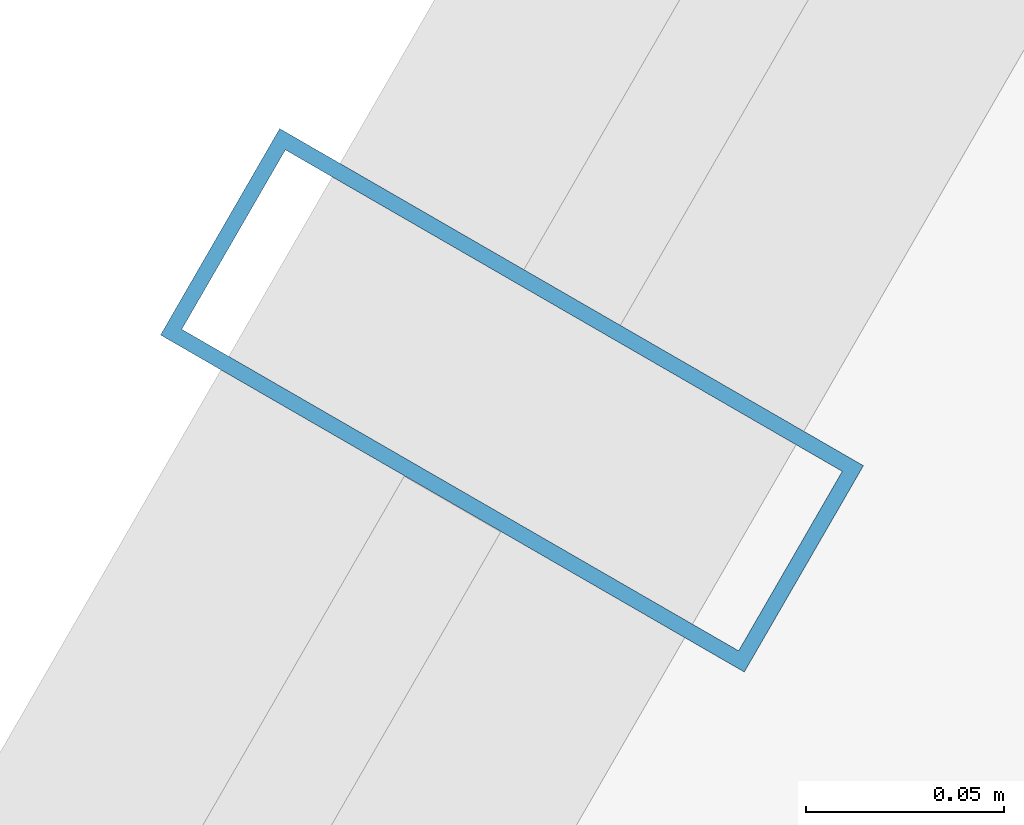
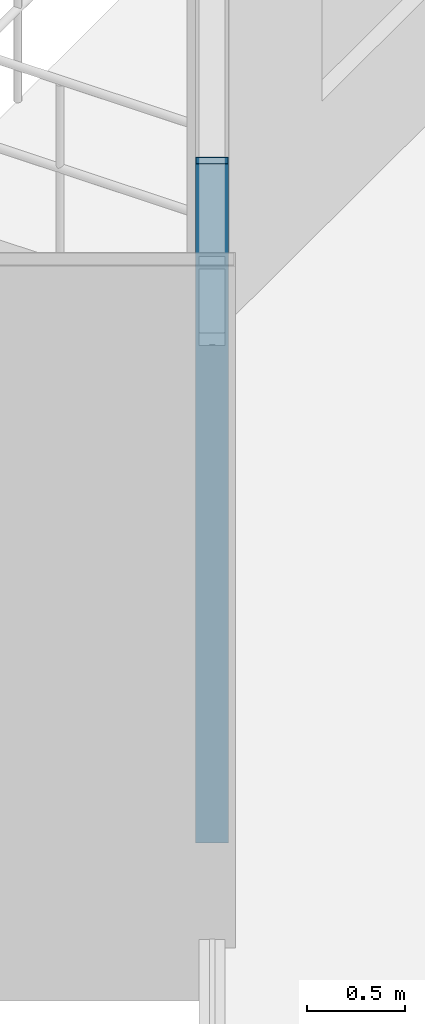
# One storey, part 23 of 39: 1 member, 1 element without a shape of its own.
"""IFC4 building model written with IfcOpenShell, lengths in metres."""

import ifcopenshell
import ifcopenshell.guid

model = None  # the IFC model being written
_history = None  # IfcOwnerHistory: only IFC2X3 demands one
_inside = {}  # id of a spatial element -> (the spatial element, [elements in it])
_under = {}  # id of a project, library or spatial element -> (it, [spatial elements below it])
_declared = {}  # id of a project -> (the project, [libraries it declares])
_typed = {}  # id of a type object -> (the type object, [elements of that type])
_made_of = {}  # id of a material, layer set ... -> (it, [elements and type objects made of it])


def new_model(schema):
    """Start an empty IFC model of exactly this schema.

    Asked for "IFC4X3", IfcOpenShell would pick the latest addendum, in which some entities
    have other attributes; the version numbers below select the first issue.
    IFC2X3 requires an IfcOwnerHistory on every rooted entity: one is made here for all.
    """
    global model, _history
    if schema == "IFC4X3":
        model = ifcopenshell.file(schema_version=(4, 3, 0, 0))
    else:
        model = ifcopenshell.file(schema=schema)
    _inside.clear()
    _under.clear()
    _declared.clear()
    _typed.clear()
    _made_of.clear()
    _history = None
    if model.schema == "IFC2X3":
        org = make("IfcOrganization", Name="unknown")
        user = make(
            "IfcPersonAndOrganization",
            ThePerson=make("IfcPerson", FamilyName="unknown"),
            TheOrganization=org,
        )
        app = make(
            "IfcApplication",
            ApplicationDeveloper=org,
            Version="unknown",
            ApplicationFullName="unknown",
            ApplicationIdentifier="unknown",
        )
        _history = make(
            "IfcOwnerHistory",
            OwningUser=user,
            OwningApplication=app,
            ChangeAction="ADDED",
            CreationDate=0,
        )
    return model


def make(cls, **values):
    """One entity of the class cls with the attributes given. An attribute that is None is left unset."""
    return model.create_entity(
        cls, **{name: value for name, value in values.items() if value is not None}
    )


def rooted(cls, **values):
    """An entity with a GlobalId (a new one), such as an element, a storey or a relation."""
    return make(cls, GlobalId=ifcopenshell.guid.new(), OwnerHistory=_history, **values)


def si_unit(unit_type, name, prefix=None):
    """IfcSIUnit, for example si_unit("LENGTHUNIT", "METRE", prefix="MILLI")."""
    return make("IfcSIUnit", UnitType=unit_type, Prefix=prefix, Name=name)


def assignment(units):
    """IfcUnitAssignment: the units of a project."""
    return None if units is None else make("IfcUnitAssignment", Units=units)


def point(xyz):
    """IfcCartesianPoint."""
    return None if xyz is None else make("IfcCartesianPoint", Coordinates=xyz)


def direction(xyz):
    """IfcDirection."""
    return None if xyz is None else make("IfcDirection", DirectionRatios=xyz)


def frame(location, z_axis=None, x_axis=None):
    """IfcAxis2Placement3D, a coordinate frame: its origin and axes. An axis left out is left unset."""
    return make(
        "IfcAxis2Placement3D",
        Location=point(location),
        Axis=direction(z_axis),
        RefDirection=direction(x_axis),
    )


def frame_2d(location, x_axis=None):
    """IfcAxis2Placement2D, a coordinate frame in the plane: its origin and x axis."""
    return make(
        "IfcAxis2Placement2D", Location=point(location), RefDirection=direction(x_axis)
    )


def origin():
    """The frame at (0, 0, 0) with its axes left unset."""
    return frame((0.0, 0.0, 0.0))


def origin_2d():
    """The frame at (0, 0) in the plane with its x axis left unset."""
    return frame_2d((0.0, 0.0))


def place(relative_to, where):
    """IfcLocalPlacement: puts the frame where relative to a parent placement (None: the world)."""
    return make(
        "IfcLocalPlacement", PlacementRelTo=relative_to, RelativePlacement=where
    )


def context(
    kind, dimensions, precision=None, world=None, true_north=None, identifier=None
):
    """IfcGeometricRepresentationContext, for example the 3D "Model" context."""
    return make(
        "IfcGeometricRepresentationContext",
        ContextIdentifier=identifier,
        ContextType=kind,
        CoordinateSpaceDimension=dimensions,
        Precision=precision,
        WorldCoordinateSystem=world,
        TrueNorth=true_north,
    )


def subcontext(parent, identifier, kind, view, scale=None):
    """IfcGeometricRepresentationSubContext, for example "Body" below "Model"."""
    return make(
        "IfcGeometricRepresentationSubContext",
        ContextIdentifier=identifier,
        ContextType=kind,
        ParentContext=parent,
        TargetScale=scale,
        TargetView=view,
    )


def project(units=None, contexts=None):
    """IfcProject with its units and contexts."""
    return rooted(
        "IfcProject",
        Name="project",
        RepresentationContexts=contexts,
        UnitsInContext=assignment(units),
    )


def spatial(cls, under=None, at=None, **own):
    """A site, building, storey or space (cls), placed at a placement, below another one or the project."""
    s = rooted(cls, ObjectPlacement=at, **own)
    if under is not None:
        _under.setdefault(under.id(), (under, []))[1].append(s)
    return s


def profile(cls, at=None, kind="AREA", **sizes):
    """A parametric profile (cls). Its sizes go by their IFC names, for example OverallWidth=200.0."""
    return make(cls, ProfileType=kind, Position=at, **sizes)


def hollow_rectangle(**sizes):
    """IfcRectangleHollowProfileDef."""
    return profile("IfcRectangleHollowProfileDef", **sizes)


def extrude(swept, where, along, depth):
    """IfcExtrudedAreaSolid: the profile swept, set in the frame where, extruded along a direction by depth."""
    return make(
        "IfcExtrudedAreaSolid",
        SweptArea=swept,
        Position=where,
        ExtrudedDirection=direction(along),
        Depth=depth,
    )


def shape(context_of_items, identifier, shape_type, items):
    """IfcShapeRepresentation: the items that make up one representation, for example the "Body"."""
    return make(
        "IfcShapeRepresentation",
        ContextOfItems=context_of_items,
        RepresentationIdentifier=identifier,
        RepresentationType=shape_type,
        Items=items,
    )


def source(mapping_origin, context_of_items, identifier, shape_type, items):
    """IfcRepresentationMap: a shape defined once, which mapped items show again and again."""
    return make(
        "IfcRepresentationMap",
        MappingOrigin=mapping_origin,
        MappedRepresentation=shape(context_of_items, identifier, shape_type, items),
    )


def transform(
    local_origin,
    x_axis=None,
    y_axis=None,
    z_axis=None,
    scale=None,
    scale2=None,
    scale3=None,
    uniform=True,
):
    """IfcCartesianTransformationOperator3D, or its non-uniform kind. x_axis, y_axis, z_axis: its Axis1, 2, 3."""
    if uniform:
        return make(
            "IfcCartesianTransformationOperator3D",
            Axis1=direction(x_axis),
            Axis2=direction(y_axis),
            LocalOrigin=point(local_origin),
            Scale=scale,
            Axis3=direction(z_axis),
        )
    return make(
        "IfcCartesianTransformationOperator3DnonUniform",
        Axis1=direction(x_axis),
        Axis2=direction(y_axis),
        LocalOrigin=point(local_origin),
        Scale=scale,
        Axis3=direction(z_axis),
        Scale2=scale2,
        Scale3=scale3,
    )


def mapped(mapping_source, mapping_target):
    """IfcMappedItem: shows the shape of a source again, moved by a transform."""
    return make(
        "IfcMappedItem", MappingSource=mapping_source, MappingTarget=mapping_target
    )


def material(Name=None, Category=None):
    """IfcMaterial."""
    return make("IfcMaterial", Name=Name, Category=Category)


def layer(
    of_material, thickness, ventilated=None, Name=None, Category=None, Priority=None
):
    """IfcMaterialLayer: one layer of a wall or slab, of a material (None: an air gap)."""
    return make(
        "IfcMaterialLayer",
        Material=of_material,
        LayerThickness=thickness,
        IsVentilated=ventilated,
        Name=Name,
        Category=Category,
        Priority=Priority,
    )


def layer_set(layers, Name=None):
    """IfcMaterialLayerSet."""
    return make("IfcMaterialLayerSet", MaterialLayers=layers, LayerSetName=Name)


def material_profile(
    of_material, cross_section, Name=None, Category=None, Priority=None
):
    """IfcMaterialProfile: a cross section and its material."""
    return make(
        "IfcMaterialProfile",
        Name=Name,
        Material=of_material,
        Profile=cross_section,
        Priority=Priority,
        Category=Category,
    )


def profile_set(profiles, Name=None, composite=None):
    """IfcMaterialProfileSet."""
    return make(
        "IfcMaterialProfileSet",
        Name=Name,
        MaterialProfiles=profiles,
        CompositeProfile=composite,
    )


def made_of(thing, what):
    """Note that an element or type object is made of a material, layer set ...; save() writes the relation."""
    if what is not None:
        _made_of.setdefault(what.id(), (what, []))[1].append(thing)
    return thing


def type_object(cls, material=None, **own):
    """A type object (cls), such as IfcWallType, which elements share."""
    return made_of(rooted(cls, **own), material)


def element(
    cls,
    number,
    at=None,
    inside=None,
    cuts=None,
    type_object=None,
    material=None,
    context=None,
    identifier="Body",
    shape_type=None,
    held_by="IfcProductDefinitionShape",
    body=None,
    shapes=None,
    **own,
):
    """One element of the class cls, such as IfcWall. Its Tag is "e" and its number.

    at: its placement. inside: the storey or other place that contains it. cuts: it is an
    opening in that element (IfcRelVoidsElement). A single representation is given by context,
    identifier, shape_type and body (its items); several are given by shapes. held_by: the class
    of the entity that holds the representations. save() writes the other relations.
    """
    e = rooted(cls, Tag="e%d" % number, ObjectPlacement=at, **own)
    if body is not None:
        shapes = [shape(context, identifier, shape_type, body)]
    if shapes is not None:
        e.Representation = make(held_by, Representations=shapes)
    if inside is not None:
        _inside.setdefault(inside.id(), (inside, []))[1].append(e)
    if cuts is not None:
        rooted(
            "IfcRelVoidsElement", RelatingBuildingElement=cuts, RelatedOpeningElement=e
        )
    if type_object is not None:
        _typed.setdefault(type_object.id(), (type_object, []))[1].append(e)
    return made_of(e, material)


def aggregate(whole, parts):
    """IfcRelAggregates: a whole, such as a stair, and the parts it consists of."""
    return rooted("IfcRelAggregates", RelatingObject=whole, RelatedObjects=parts)


def save(model, path):
    """Write the relations noted so far, then the file.

    IfcRelAggregates (storeys below a building ...), IfcRelContainedInSpatialStructure (elements
    in a storey), IfcRelDefinesByType, IfcRelAssociatesMaterial and IfcRelDeclares: one each for
    every whole, place, type object, material and project.
    """
    for whole, parts in _under.values():
        aggregate(whole, parts)
    for where, things in _inside.values():
        rooted(
            "IfcRelContainedInSpatialStructure",
            RelatedElements=things,
            RelatingStructure=where,
        )
    for kind, things in _typed.values():
        rooted("IfcRelDefinesByType", RelatedObjects=things, RelatingType=kind)
    for what, things in _made_of.values():
        rooted("IfcRelAssociatesMaterial", RelatedObjects=things, RelatingMaterial=what)
    for by, libraries in _declared.values():
        rooted("IfcRelDeclares", RelatingContext=by, RelatedDefinitions=libraries)
    model.write(path)


model = new_model("IFC4")

# Units and contexts
model_context = context("Model", 3, precision=1e-05, world=origin(), true_north=direction((0.0, 1.0)))
body_context = subcontext(model_context, "Body", "Model", "MODEL_VIEW")
ifc_project = project(units=[si_unit("LENGTHUNIT", "METRE"), si_unit("AREAUNIT", "SQUARE_METRE"), si_unit("VOLUMEUNIT", "CUBIC_METRE"), si_unit("PLANEANGLEUNIT", "RADIAN"), si_unit("MASSUNIT", "GRAM", prefix="KILO")], contexts=[model_context])

# Site, building, storey
site_placement = place(None, origin())
site = spatial("IfcSite", under=ifc_project, at=site_placement, CompositionType="ELEMENT")
building_placement = place(site_placement, origin())
building = spatial("IfcBuilding", under=site, at=building_placement, Name="Veraguas Prism Commons", CompositionType="ELEMENT")
storey_placement = place(building_placement, frame((0.0, 0.0, 22.800048828125)))
storey = spatial("IfcBuildingStorey", under=building, at=storey_placement, Name="L05", CompositionType="ELEMENT", Elevation=22.800048828125)

# Curtain wall, member
ifc_material = material(Name="Anodised aluminium EN AW-6063 T6", Category="aluminium")
ifc_layer = layer(ifc_material, 0.169921875, Name="Unitised Flush Curtain Wall Zone 1", Category="aluminium")
ifc_layer_set = layer_set([ifc_layer], Name="Anodised aluminium EN AW-6063 T6")
curtain_wall_type = type_object("IfcCurtainWallType", Name="Unitised Flush Curtain Wall Zone 1", PredefinedType="NOTDEFINED", material=ifc_layer_set)
curtain_wall_placement = place(storey_placement, origin())
curtain_wall = element("IfcCurtainWall", 1, at=curtain_wall_placement, inside=storey, type_object=curtain_wall_type, Name="Tower Facade Curtain Wall L05-F3", PredefinedType="NOTDEFINED")
ifc_material_profile = material_profile(ifc_material, hollow_rectangle(XDim=0.06005859375, YDim=0.169921875, WallThickness=0.00390625, at=origin_2d()), Name="AL60X170X4")
ifc_profile_set = profile_set([ifc_material_profile], Name="Anodised aluminium EN AW-6063 T6")
member_type = type_object("IfcMemberType", Name="Curtain Wall Mullion Lower AL 60x170x4", PredefinedType="MULLION", material=ifc_profile_set)
shared_shape = source(origin(), body_context, "Body", "SweptSolid", [
    extrude(hollow_rectangle(XDim=0.06005859375, YDim=0.169921875, WallThickness=0.00390625, at=origin_2d()), origin(), (0.0, 0.0, 1.0), 4.25),
])
member_placement = place(storey_placement, frame((8.33544921875, 38.4375, 0.0), z_axis=(0.0, 0.0, 1.0), x_axis=(-0.500004534492, -0.866022785779, 0.0)))
member = element("IfcMember", 2, at=member_placement, type_object=member_type, Name="CW-Z1 Mullion 2", PredefinedType="MULLION", context=body_context, shape_type="MappedRepresentation", body=[
    mapped(shared_shape, transform((0.0, 0.0, 0.0), scale=1.0)),
])
aggregate(curtain_wall, [member])

save(model, "model.ifc")
